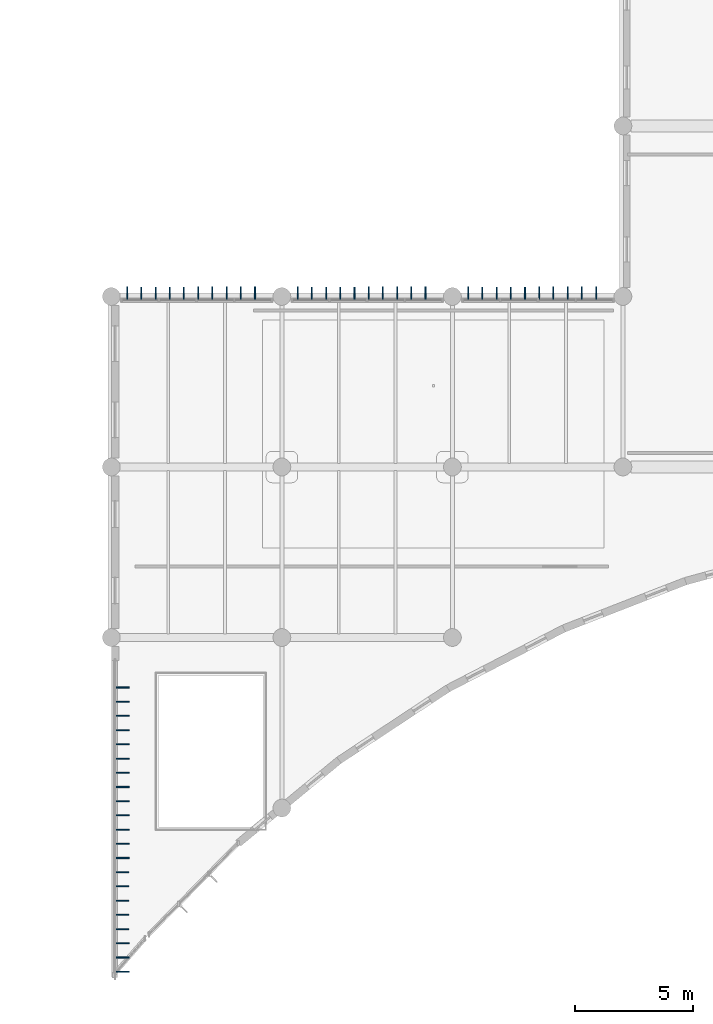
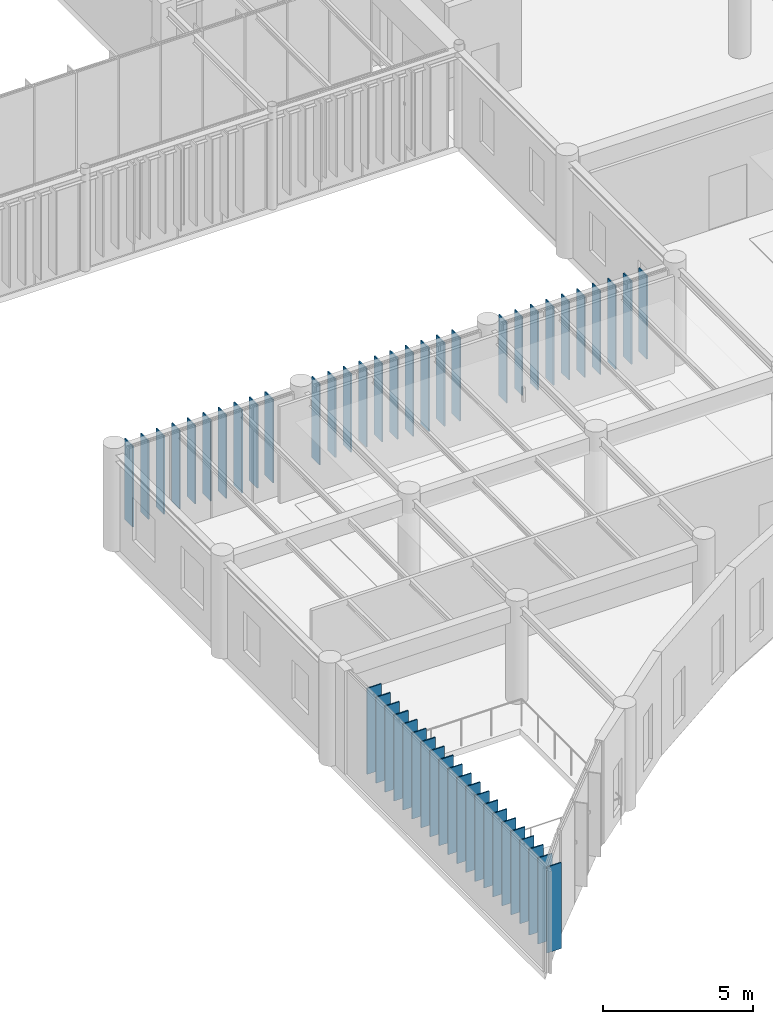
# One storey, part 17 of 122: 51 plates.
"""IFC4 building model written with IfcOpenShell, lengths in metres."""

from ifc_helpers import new_model, si_unit, direction, frame, origin, origin_2d, place, context, subcontext, project, spatial, rectangle, extrude, material, layer, layer_set, type_object, element, save


model = new_model("IFC4")

# Units and contexts
model_context = context("Model", 3, precision=1e-05, world=origin(), true_north=direction((0.0, 1.0)))
body_context = subcontext(model_context, "Body", "Model", "MODEL_VIEW")
ifc_project = project(units=[si_unit("LENGTHUNIT", "METRE"), si_unit("AREAUNIT", "SQUARE_METRE"), si_unit("VOLUMEUNIT", "CUBIC_METRE"), si_unit("PLANEANGLEUNIT", "RADIAN"), si_unit("MASSUNIT", "GRAM", prefix="KILO")], contexts=[model_context])

# Site, building, storey
site_placement = place(None, origin())
site = spatial("IfcSite", under=ifc_project, at=site_placement, CompositionType="ELEMENT")
building_placement = place(site_placement, origin())
building = spatial("IfcBuilding", under=site, at=building_placement, Name="Tazoul Stagehouse", CompositionType="ELEMENT")
storey_placement = place(building_placement, frame((0.0, 0.0, 4.800048828125)))
storey = spatial("IfcBuildingStorey", under=building, at=storey_placement, Name="L01", CompositionType="ELEMENT", Elevation=4.800048828125)

# Plates
ifc_material = material(Name="Anodised Bronze Aluminium 6063-T6", Category="aluminium")
ifc_layer_1 = layer(ifc_material, 0.52001953125, Name="Anodised Bronze Aluminium 6063-T6")
ifc_layer_set_1 = layer_set([ifc_layer_1], Name="Anodised Bronze Aluminium 6063-T6")
plate_type_1 = type_object("IfcPlateType", Name="Parametric Terracotta-Bronze Solar Fin 520x3200", PredefinedType="USERDEFINED", material=ifc_layer_set_1)
for number, where, z_axis, x_axis, name in (
    (1, (37.264892578125, 30.340087890625, 0.68994140625), (0.0, 0.0, 1.0), (1.0, 0.0, 0.0), "L01 Parametric Solar Fin SFN-18 (CW-V5-NRET-W-L01-B1-02)"),
    (2, (37.864990234375, 30.340087890625, 0.68994140625), (0.0, 0.0, 1.0), (1.0, 0.0, 0.0), "L01 Parametric Solar Fin SFN-18 (CW-V5-NRET-W-L01-B1-03)"),
    (3, (38.465087890625, 30.340087890625, 0.68994140625), (0.0, 0.0, 1.0), (1.0, 0.0, 0.0), "L01 Parametric Solar Fin SFN-18 (CW-V5-NRET-W-L01-B1-04)"),
    (4, (39.06494140625, 30.340087890625, 0.68994140625), (0.0, 0.0, 1.0), (1.0, 0.0, 0.0), "L01 Parametric Solar Fin SFN-18 (CW-V5-NRET-W-L01-B1-05)"),
    (5, (44.465087890625, 30.340087890625, 0.68994140625), (0.0, 0.0, 1.0), (1.0, 0.0, 0.0), "L01 Parametric Solar Fin SFN-18 (CW-V5-NRET-W-L01-B2-02)"),
    (6, (45.06494140625, 30.340087890625, 0.68994140625), (0.0, 0.0, 1.0), (1.0, 0.0, 0.0), "L01 Parametric Solar Fin SFN-18 (CW-V5-NRET-W-L01-B2-03)"),
    (7, (45.6650390625, 30.340087890625, 0.68994140625), (0.0, 0.0, 1.0), (1.0, 0.0, 0.0), "L01 Parametric Solar Fin SFN-18 (CW-V5-NRET-W-L01-B2-04)"),
    (8, (46.264892578125, 30.340087890625, 0.68994140625), (0.0, 0.0, 1.0), (1.0, 0.0, 0.0), "L01 Parametric Solar Fin SFN-18 (CW-V5-NRET-W-L01-B2-05)"),
    (9, (51.6650390625, 30.340087890625, 0.68994140625), (0.0, 0.0, 1.0), (1.0, 0.0, 0.0), "L01 Parametric Solar Fin SFN-18 (CW-V5-NRET-W-L01-B3-02)"),
    (10, (52.264892578125, 30.340087890625, 0.68994140625), (0.0, 0.0, 1.0), (1.0, 0.0, 0.0), "L01 Parametric Solar Fin SFN-18 (CW-V5-NRET-W-L01-B3-03)"),
    (11, (52.864990234375, 30.340087890625, 0.68994140625), (0.0, 0.0, 1.0), (1.0, 0.0, 0.0), "L01 Parametric Solar Fin SFN-18 (CW-V5-NRET-W-L01-B3-04)"),
    (12, (53.465087890625, 30.340087890625, 0.68994140625), (0.0, 0.0, 1.0), (1.0, 0.0, 0.0), "L01 Parametric Solar Fin SFN-18 (CW-V5-NRET-W-L01-B3-05)"),
):
    element("IfcPlate", number, at=place(storey_placement, frame(where, z_axis=z_axis, x_axis=x_axis)), inside=storey, type_object=plate_type_1, Name=name, ObjectType="SOLAR FIN", PredefinedType="USERDEFINED", context=body_context, shape_type="SweptSolid", body=[
        extrude(rectangle(XDim=0.044921875, YDim=0.52001953125, at=origin_2d()), origin(), (0.0, 0.0, 1.0), 3.199951171875),
    ])
ifc_layer_2 = layer(ifc_material, 0.530029296875, Name="Anodised Bronze Aluminium 6063-T6")
ifc_layer_set_2 = layer_set([ifc_layer_2], Name="Anodised Bronze Aluminium 6063-T6")
plate_type_2 = type_object("IfcPlateType", Name="Parametric Terracotta-Bronze Solar Fin 530x3300", PredefinedType="USERDEFINED", material=ifc_layer_set_2)
for number, where, z_axis, x_axis, name in (
    (13, (36.6650390625, 30.344970703125, 0.58984375), (0.0, 0.0, 1.0), (1.0, 0.0, 0.0), "L01 Parametric Solar Fin SFN-19 (CW-V5-NRET-W-L01-B1-01)"),
    (14, (39.6650390625, 30.344970703125, 0.58984375), (0.0, 0.0, 1.0), (1.0, 0.0, 0.0), "L01 Parametric Solar Fin SFN-19 (CW-V5-NRET-W-L01-B1-06)"),
    (15, (43.864990234375, 30.344970703125, 0.58984375), (0.0, 0.0, 1.0), (1.0, 0.0, 0.0), "L01 Parametric Solar Fin SFN-19 (CW-V5-NRET-W-L01-B2-01)"),
    (16, (46.864990234375, 30.344970703125, 0.58984375), (0.0, 0.0, 1.0), (1.0, 0.0, 0.0), "L01 Parametric Solar Fin SFN-19 (CW-V5-NRET-W-L01-B2-06)"),
    (17, (51.06494140625, 30.344970703125, 0.58984375), (0.0, 0.0, 1.0), (1.0, 0.0, 0.0), "L01 Parametric Solar Fin SFN-19 (CW-V5-NRET-W-L01-B3-01)"),
    (18, (54.06494140625, 30.344970703125, 0.58984375), (0.0, 0.0, 1.0), (1.0, 0.0, 0.0), "L01 Parametric Solar Fin SFN-19 (CW-V5-NRET-W-L01-B3-06)"),
):
    element("IfcPlate", number, at=place(storey_placement, frame(where, z_axis=z_axis, x_axis=x_axis)), inside=storey, type_object=plate_type_2, Name=name, ObjectType="SOLAR FIN", PredefinedType="USERDEFINED", context=body_context, shape_type="SweptSolid", body=[
        extrude(rectangle(XDim=0.044921875, YDim=0.530029296875, at=origin_2d()), origin(), (0.0, 0.0, 1.0), 3.300048828125),
    ])
ifc_layer_3 = layer(ifc_material, 0.5400390625, Name="Anodised Bronze Aluminium 6063-T6")
ifc_layer_set_3 = layer_set([ifc_layer_3], Name="Anodised Bronze Aluminium 6063-T6")
plate_type_3 = type_object("IfcPlateType", Name="Parametric Terracotta-Bronze Solar Fin 540x3400", PredefinedType="USERDEFINED", material=ifc_layer_set_3)
for number, where, z_axis, x_axis, name in (
    (19, (36.469970703125, 3.489990234375, 0.72998046875), (0.0, 0.0, 1.0), (0.0, 1.0, 0.0), "L01 Parametric Solar Fin SFN-20 (CW-V5-RET-W-L01-04)"),
    (20, (36.469970703125, 4.090087890625, 0.72998046875), (0.0, 0.0, 1.0), (0.0, 1.0, 0.0), "L01 Parametric Solar Fin SFN-20 (CW-V5-RET-W-L01-05)"),
    (21, (36.469970703125, 4.68994140625, 0.72998046875), (0.0, 0.0, 1.0), (0.0, 1.0, 0.0), "L01 Parametric Solar Fin SFN-20 (CW-V5-RET-W-L01-06)"),
    (22, (36.469970703125, 5.2900390625, 0.72998046875), (0.0, 0.0, 1.0), (0.0, 1.0, 0.0), "L01 Parametric Solar Fin SFN-20 (CW-V5-RET-W-L01-07)"),
    (23, (36.469970703125, 5.889892578125, 0.72998046875), (0.0, 0.0, 1.0), (0.0, 1.0, 0.0), "L01 Parametric Solar Fin SFN-20 (CW-V5-RET-W-L01-08)"),
    (24, (40.264892578125, 30.35009765625, 0.489990234375), (0.0, 0.0, 1.0), (1.0, 0.0, 0.0), "L01 Parametric Solar Fin SFN-20 (CW-V5-NRET-W-L01-B1-07)"),
    (25, (40.864990234375, 30.35009765625, 0.489990234375), (0.0, 0.0, 1.0), (1.0, 0.0, 0.0), "L01 Parametric Solar Fin SFN-20 (CW-V5-NRET-W-L01-B1-08)"),
    (26, (41.465087890625, 30.35009765625, 0.489990234375), (0.0, 0.0, 1.0), (1.0, 0.0, 0.0), "L01 Parametric Solar Fin SFN-20 (CW-V5-NRET-W-L01-B1-09)"),
    (27, (42.06494140625, 30.35009765625, 0.489990234375), (0.0, 0.0, 1.0), (1.0, 0.0, 0.0), "L01 Parametric Solar Fin SFN-20 (CW-V5-NRET-W-L01-B1-10)"),
    (28, (47.465087890625, 30.35009765625, 0.489990234375), (0.0, 0.0, 1.0), (1.0, 0.0, 0.0), "L01 Parametric Solar Fin SFN-20 (CW-V5-NRET-W-L01-B2-07)"),
    (29, (48.06494140625, 30.35009765625, 0.489990234375), (0.0, 0.0, 1.0), (1.0, 0.0, 0.0), "L01 Parametric Solar Fin SFN-20 (CW-V5-NRET-W-L01-B2-08)"),
    (30, (48.6650390625, 30.35009765625, 0.489990234375), (0.0, 0.0, 1.0), (1.0, 0.0, 0.0), "L01 Parametric Solar Fin SFN-20 (CW-V5-NRET-W-L01-B2-09)"),
    (31, (49.264892578125, 30.35009765625, 0.489990234375), (0.0, 0.0, 1.0), (1.0, 0.0, 0.0), "L01 Parametric Solar Fin SFN-20 (CW-V5-NRET-W-L01-B2-10)"),
    (32, (54.6650390625, 30.35009765625, 0.489990234375), (0.0, 0.0, 1.0), (1.0, 0.0, 0.0), "L01 Parametric Solar Fin SFN-20 (CW-V5-NRET-W-L01-B3-07)"),
    (33, (55.264892578125, 30.35009765625, 0.489990234375), (0.0, 0.0, 1.0), (1.0, 0.0, 0.0), "L01 Parametric Solar Fin SFN-20 (CW-V5-NRET-W-L01-B3-08)"),
    (34, (55.864990234375, 30.35009765625, 0.489990234375), (0.0, 0.0, 1.0), (1.0, 0.0, 0.0), "L01 Parametric Solar Fin SFN-20 (CW-V5-NRET-W-L01-B3-09)"),
    (35, (56.465087890625, 30.35009765625, 0.489990234375), (0.0, 0.0, 1.0), (1.0, 0.0, 0.0), "L01 Parametric Solar Fin SFN-20 (CW-V5-NRET-W-L01-B3-10)"),
):
    element("IfcPlate", number, at=place(storey_placement, frame(where, z_axis=z_axis, x_axis=x_axis)), inside=storey, type_object=plate_type_3, Name=name, ObjectType="SOLAR FIN", PredefinedType="USERDEFINED", context=body_context, shape_type="SweptSolid", body=[
        extrude(rectangle(XDim=0.044921875, YDim=0.5400390625, at=origin_2d()), origin(), (0.0, 0.0, 1.0), 3.39990234375),
    ])
ifc_layer_4 = layer(ifc_material, 0.550048828125, Name="Anodised Bronze Aluminium 6063-T6")
ifc_layer_set_4 = layer_set([ifc_layer_4], Name="Anodised Bronze Aluminium 6063-T6")
plate_type_4 = type_object("IfcPlateType", Name="Parametric Terracotta-Bronze Solar Fin 550x3500", PredefinedType="USERDEFINED", material=ifc_layer_set_4)
for number, where, z_axis, x_axis, name in (
    (36, (36.47509765625, 1.68994140625, 0.6298828125), (0.0, 0.0, 1.0), (0.0, 1.0, 0.0), "L01 Parametric Solar Fin SFN-21 (CW-V5-RET-W-L01-01)"),
    (37, (36.47509765625, 2.2900390625, 0.6298828125), (0.0, 0.0, 1.0), (0.0, 1.0, 0.0), "L01 Parametric Solar Fin SFN-21 (CW-V5-RET-W-L01-02)"),
    (38, (36.47509765625, 2.889892578125, 0.6298828125), (0.0, 0.0, 1.0), (0.0, 1.0, 0.0), "L01 Parametric Solar Fin SFN-21 (CW-V5-RET-W-L01-03)"),
    (39, (36.47509765625, 6.489990234375, 0.6298828125), (0.0, 0.0, 1.0), (0.0, 1.0, 0.0), "L01 Parametric Solar Fin SFN-21 (CW-V5-RET-W-L01-09)"),
    (40, (36.47509765625, 7.090087890625, 0.6298828125), (0.0, 0.0, 1.0), (0.0, 1.0, 0.0), "L01 Parametric Solar Fin SFN-21 (CW-V5-RET-W-L01-10)"),
    (41, (36.47509765625, 7.68994140625, 0.6298828125), (0.0, 0.0, 1.0), (0.0, 1.0, 0.0), "L01 Parametric Solar Fin SFN-21 (CW-V5-RET-W-L01-11)"),
    (42, (36.47509765625, 8.2900390625, 0.6298828125), (0.0, 0.0, 1.0), (0.0, 1.0, 0.0), "L01 Parametric Solar Fin SFN-21 (CW-V5-RET-W-L01-12)"),
    (43, (36.47509765625, 8.889892578125, 0.6298828125), (0.0, 0.0, 1.0), (0.0, 1.0, 0.0), "L01 Parametric Solar Fin SFN-21 (CW-V5-RET-W-L01-13)"),
    (44, (36.47509765625, 9.489990234375, 0.6298828125), (0.0, 0.0, 1.0), (0.0, 1.0, 0.0), "L01 Parametric Solar Fin SFN-21 (CW-V5-RET-W-L01-14)"),
    (45, (36.47509765625, 10.090087890625, 0.6298828125), (0.0, 0.0, 1.0), (0.0, 1.0, 0.0), "L01 Parametric Solar Fin SFN-21 (CW-V5-RET-W-L01-15)"),
    (46, (36.47509765625, 10.68994140625, 0.6298828125), (0.0, 0.0, 1.0), (0.0, 1.0, 0.0), "L01 Parametric Solar Fin SFN-21 (CW-V5-RET-W-L01-16)"),
    (47, (36.47509765625, 11.2900390625, 0.6298828125), (0.0, 0.0, 1.0), (0.0, 1.0, 0.0), "L01 Parametric Solar Fin SFN-21 (CW-V5-RET-W-L01-17)"),
    (48, (36.47509765625, 11.889892578125, 0.6298828125), (0.0, 0.0, 1.0), (0.0, 1.0, 0.0), "L01 Parametric Solar Fin SFN-21 (CW-V5-RET-W-L01-18)"),
    (49, (36.47509765625, 12.489990234375, 0.6298828125), (0.0, 0.0, 1.0), (0.0, 1.0, 0.0), "L01 Parametric Solar Fin SFN-21 (CW-V5-RET-W-L01-19)"),
    (50, (36.47509765625, 13.090087890625, 0.6298828125), (0.0, 0.0, 1.0), (0.0, 1.0, 0.0), "L01 Parametric Solar Fin SFN-21 (CW-V5-RET-W-L01-20)"),
    (51, (36.47509765625, 13.68994140625, 0.6298828125), (0.0, 0.0, 1.0), (0.0, 1.0, 0.0), "L01 Parametric Solar Fin SFN-21 (CW-V5-RET-W-L01-21)"),
):
    element("IfcPlate", number, at=place(storey_placement, frame(where, z_axis=z_axis, x_axis=x_axis)), inside=storey, type_object=plate_type_4, Name=name, ObjectType="SOLAR FIN", PredefinedType="USERDEFINED", context=body_context, shape_type="SweptSolid", body=[
        extrude(rectangle(XDim=0.044921875, YDim=0.550048828125, at=origin_2d()), origin(), (0.0, 0.0, 1.0), 3.5),
    ])

save(model, "model.ifc")
